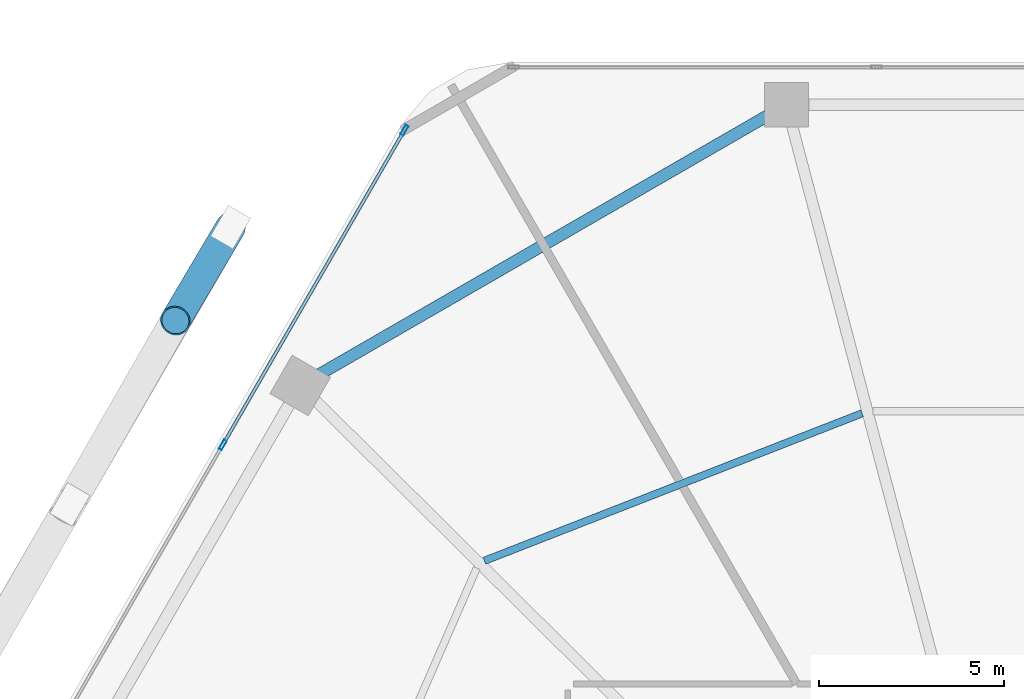
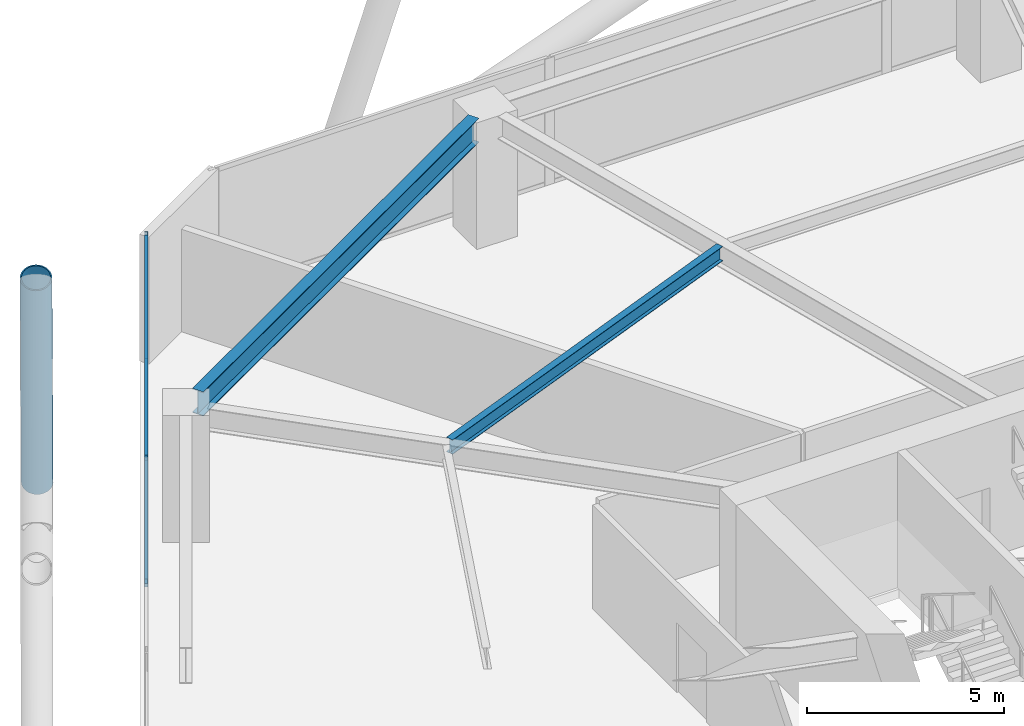
# One storey, part 16 of 28: 5 members, 2 beams, 1 element without a shape of its own.
"""IFC4 building model written with IfcOpenShell, lengths in metres."""

from ifc_helpers import new_model, si_unit, direction, frame, origin, origin_2d, place, context, subcontext, project, spatial, hollow_rectangle, hollow_circle, i_section, extrude, material, material_profile, profile_set, type_object, element, aggregate, save


model = new_model("IFC4")

# Units and contexts
model_context = context("Model", 3, precision=1e-05, world=origin(), true_north=direction((0.0, 1.0)))
body_context = subcontext(model_context, "Body", "Model", "MODEL_VIEW")
ifc_project = project(units=[si_unit("LENGTHUNIT", "METRE"), si_unit("AREAUNIT", "SQUARE_METRE"), si_unit("VOLUMEUNIT", "CUBIC_METRE"), si_unit("PLANEANGLEUNIT", "RADIAN"), si_unit("MASSUNIT", "GRAM", prefix="KILO")], contexts=[model_context])

# Site, building, storey
site_placement = place(None, origin())
site = spatial("IfcSite", under=ifc_project, at=site_placement, CompositionType="ELEMENT")
building_placement = place(site_placement, origin())
building = spatial("IfcBuilding", under=site, at=building_placement, Name="Zuhravey Tower", CompositionType="ELEMENT")
storey_placement = place(building_placement, frame((0.0, 0.0, 75.0)))
storey = spatial("IfcBuildingStorey", under=building, at=storey_placement, Name="L18", CompositionType="ELEMENT", Elevation=75.0)

# Curtain wall, members
ifc_material_1 = material(Name="Thermally broken anodised aluminium", Category="aluminium")
curtain_wall_type = type_object("IfcCurtainWallType", Name="School Low-E Unitised Curtain Wall CW1", PredefinedType="NOTDEFINED", material=ifc_material_1)
curtain_wall_placement = place(storey_placement, origin())
curtain_wall = element("IfcCurtainWall", 1, at=curtain_wall_placement, inside=storey, type_object=curtain_wall_type, Name="L18 CW1 CW-L18-F3-1", PredefinedType="NOTDEFINED")
ifc_material_2 = material(Name="Anodised aluminium", Category="aluminium")
ifc_material_profile_1 = material_profile(ifc_material_2, hollow_rectangle(XDim=0.090087890625, YDim=0.284912109375, WallThickness=0.0048828125, at=origin_2d()), Name="ALU-RHS-90x285x5")
ifc_profile_set_1 = profile_set([ifc_material_profile_1], Name="Anodised aluminium")
member_type_1 = type_object("IfcMemberType", Name="Curtain-Wall Mullion 90x180", PredefinedType="MULLION", material=ifc_profile_set_1)
member_1_placement = place(storey_placement, frame((13.387939453125, 50.75146484375, 0.0), z_axis=(0.0, 0.0, 1.0), x_axis=(-0.86602552265, 0.499999794119, 0.0)))
member_1 = element("IfcMember", 2, at=member_1_placement, type_object=member_type_1, Name="CW1 mullion 3", PredefinedType="MULLION", context=body_context, shape_type="SweptSolid", body=[
    extrude(hollow_rectangle(XDim=0.090087890625, YDim=0.284912109375, WallThickness=0.0048828125, at=origin_2d()), origin(), (0.0, 0.0, 1.0), 3.919921875),
])
member_2_placement = place(storey_placement, frame((18.298583984375, 59.257080078125, 0.0), z_axis=(0.0, 0.0, 1.0), x_axis=(-0.86602552265, 0.499999794119, 0.0)))
member_2 = element("IfcMember", 3, at=member_2_placement, type_object=member_type_1, Name="CW1 mullion 4", PredefinedType="MULLION", context=body_context, shape_type="SweptSolid", body=[
    extrude(hollow_rectangle(XDim=0.090087890625, YDim=0.284912109375, WallThickness=0.0048828125, at=origin_2d()), origin(), (0.0, 0.0, 1.0), 3.919921875),
])
ifc_material_profile_2 = material_profile(ifc_material_2, hollow_rectangle(XDim=0.090087890625, YDim=0.14990234375, WallThickness=0.0048828125, at=origin_2d()), Name="ALU-RHS-90x150x5")
ifc_profile_set_2 = profile_set([ifc_material_profile_2], Name="Anodised aluminium")
member_type_2 = type_object("IfcMemberType", Name="Curtain-Wall Transom 90x150", PredefinedType="USERDEFINED", material=ifc_profile_set_2)
member_3_placement = place(storey_placement, frame((13.410400390625, 50.79052734375, 0.044921875), z_axis=(0.499989576763, 0.86603142156, 0.0), x_axis=(-0.86603142156, 0.499989576763, 0.0)))
member_3 = element("IfcMember", 4, at=member_3_placement, type_object=member_type_2, Name="CW1 transom 3.1", ObjectType="TRANSOM", PredefinedType="USERDEFINED", context=body_context, shape_type="SweptSolid", body=[
    extrude(hollow_rectangle(XDim=0.090087890625, YDim=0.14990234375, WallThickness=0.0048828125, at=origin_2d()), origin(), (0.0, 0.0, 1.0), 9.731201171875),
])
member_4_placement = place(storey_placement, frame((13.410400390625, 50.79052734375, 3.875), z_axis=(0.499989576763, 0.86603142156, 0.0), x_axis=(-0.86603142156, 0.499989576763, 0.0)))
member_4 = element("IfcMember", 5, at=member_4_placement, type_object=member_type_2, Name="CW1 transom 3.2", ObjectType="TRANSOM", PredefinedType="USERDEFINED", context=body_context, shape_type="SweptSolid", body=[
    extrude(hollow_rectangle(XDim=0.090087890625, YDim=0.14990234375, WallThickness=0.0048828125, at=origin_2d()), origin(), (0.0, 0.0, 1.0), 9.731201171875),
])
aggregate(curtain_wall, [member_1, member_2, member_3, member_4])

# Member
ifc_material_3 = material(Name="Steel SM460", Category="steel")
ifc_material_profile_3 = material_profile(ifc_material_3, hollow_circle(Radius=0.406494140625, WallThickness=0.035888671875, at=origin_2d()), Name="CHS-812.8x36")
ifc_profile_set_3 = profile_set([ifc_material_profile_3], Name="Steel SM460")
member_type_3 = type_object("IfcMemberType", Name="Exoskeleton Zone 1 Diagrid CHS813x36", PredefinedType="BRACE", material=ifc_profile_set_3)
member_5_placement = place(storey_placement, frame((13.595458984375, 56.63134765625, -0.471923828125), z_axis=(-0.168255765182, -0.284672651548, 0.943743333192), x_axis=(0.860873401885, -0.508819207507, 0.0)))
element("IfcMember", 6, at=member_5_placement, inside=storey, type_object=member_type_3, Name="L18 Face 3 Diagrid Brace 1", PredefinedType="BRACE", context=body_context, shape_type="SweptSolid", body=[
    extrude(hollow_circle(Radius=0.406494140625, WallThickness=0.035888671875, at=origin_2d()), origin(), (0.0, 0.0, 1.0), 8.85400390625),
])

# Beams
ifc_material_4 = material(Name="Steel SM355", Category="steel")
ifc_material_profile_4 = material_profile(ifc_material_4, i_section(OverallWidth=0.320068359375, OverallDepth=0.75, WebThickness=0.013916015625, FlangeThickness=0.02490234375, at=origin_2d()), Name="H-750x320x14x25")
ifc_profile_set_4 = profile_set([ifc_material_profile_4], Name="Steel SM355")
beam_type_1 = type_object("IfcBeamType", Name="Perimeter Ring Beam H750x320", PredefinedType="BEAM", material=ifc_profile_set_4)
beam_1_placement = place(storey_placement, frame((28.10791015625, 59.64697265625, 3.544921875), z_axis=(-0.866029969761, -0.499992091414, 0.0), x_axis=(0.499992091414, -0.866029969761, 0.0)))
element("IfcBeam", 7, at=beam_1_placement, inside=storey, type_object=beam_type_1, Name="L18 PB1 BM-L18-PB-04", PredefinedType="BEAM", context=body_context, shape_type="SweptSolid", body=[
    extrude(i_section(OverallWidth=0.320068359375, OverallDepth=0.75, WebThickness=0.013916015625, FlangeThickness=0.02490234375, at=origin_2d()), origin(), (0.0, 0.0, 1.0), 13.977294921875),
])
ifc_material_profile_5 = material_profile(ifc_material_4, i_section(OverallWidth=0.199951171875, OverallDepth=0.449951171875, WebThickness=0.009033203125, FlangeThickness=0.013916015625, at=origin_2d()), Name="H-450x200x9x14")
ifc_profile_set_5 = profile_set([ifc_material_profile_5], Name="Steel SM355")
beam_type_2 = type_object("IfcBeamType", Name="Secondary Floor Joist H450x200", PredefinedType="JOIST", material=ifc_profile_set_5)
beam_2_placement = place(storey_placement, frame((30.67236328125, 51.60302734375, 3.695068359375), z_axis=(-0.931516535886, -0.363698973562, 0.0), x_axis=(0.363698973562, -0.931516535886, 0.0)))
element("IfcBeam", 8, at=beam_2_placement, inside=storey, type_object=beam_type_2, Name="L18 SJ1 BM-L18-SJ-04-1", PredefinedType="JOIST", context=body_context, shape_type="SweptSolid", body=[
    extrude(i_section(OverallWidth=0.199951171875, OverallDepth=0.449951171875, WebThickness=0.009033203125, FlangeThickness=0.013916015625, at=origin_2d()), origin(), (0.0, 0.0, 1.0), 10.963134765625),
])

save(model, "model.ifc")
